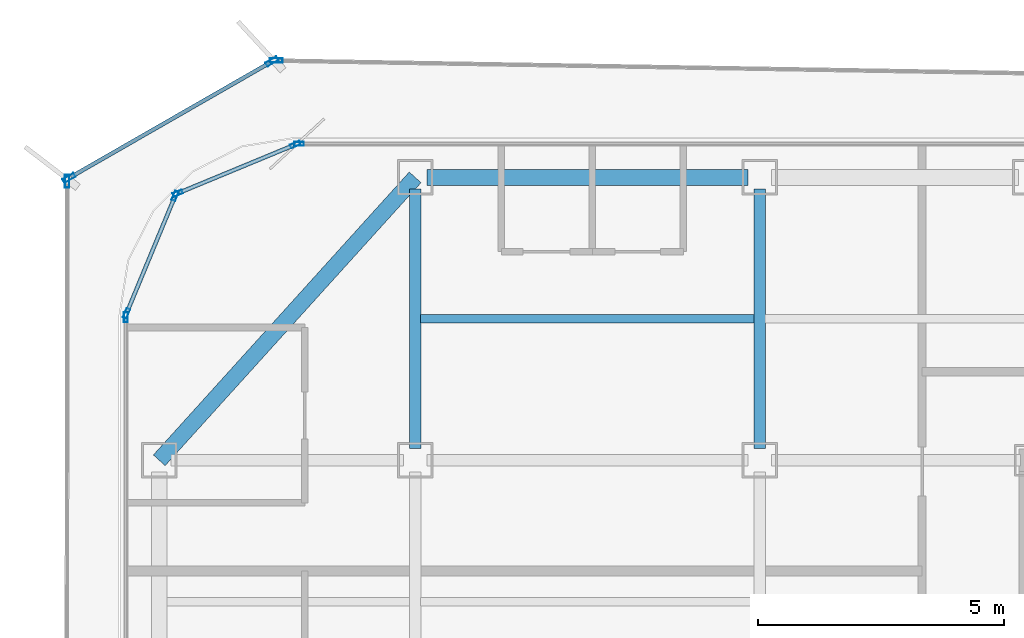
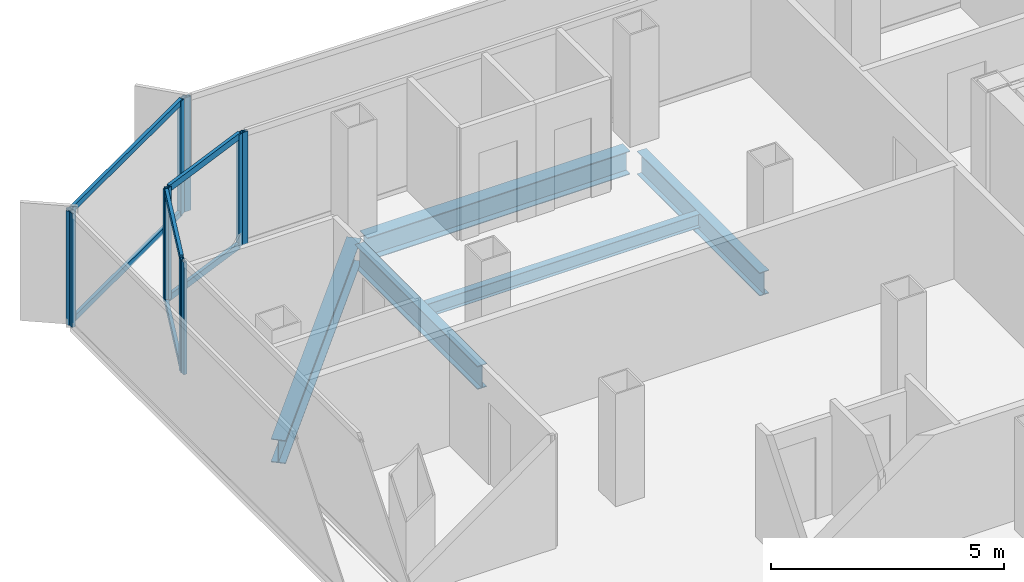
# One storey, part 6 of 15: 16 members, 5 beams, 7 elements without a shape of their own.
"""IFC4 building model written with IfcOpenShell, lengths in metres."""

from ifc_helpers import new_model, si_unit, direction, frame, origin, origin_2d, place, context, subcontext, project, spatial, hollow_rectangle, i_section, extrude, source, transform, mapped, material, layer, layer_set, material_profile, profile_set, type_object, element, aggregate, save


model = new_model("IFC4")

# Units and contexts
model_context = context("Model", 3, precision=1e-05, world=origin(), true_north=direction((0.0, 1.0)))
body_context = subcontext(model_context, "Body", "Model", "MODEL_VIEW")
ifc_project = project(units=[si_unit("LENGTHUNIT", "METRE"), si_unit("AREAUNIT", "SQUARE_METRE"), si_unit("VOLUMEUNIT", "CUBIC_METRE"), si_unit("PLANEANGLEUNIT", "RADIAN"), si_unit("MASSUNIT", "GRAM", prefix="KILO")], contexts=[model_context])

# Site, building, storey
site_placement = place(None, origin())
site = spatial("IfcSite", under=ifc_project, at=site_placement, CompositionType="ELEMENT")
building_placement = place(site_placement, origin())
building = spatial("IfcBuilding", under=site, at=building_placement, Name="Kolveth Station Tower", CompositionType="ELEMENT")
storey_placement = place(building_placement, frame((0.0, 0.0, 172.10009765625)))
storey = spatial("IfcBuildingStorey", under=building, at=storey_placement, Name="L48", CompositionType="ELEMENT", Elevation=172.10009765625)

# Beams
ifc_material_1 = material(Name="Steel S355", Category="steel")
ifc_material_profile_1 = material_profile(ifc_material_1, i_section(OverallWidth=0.323974609375, OverallDepth=0.611083984375, WebThickness=0.0126953125, FlangeThickness=0.01904296875, at=origin_2d()), Name="W610x155")
ifc_profile_set_1 = profile_set([ifc_material_profile_1], Name="Steel S355")
beam_type_1 = type_object("IfcBeamType", Name="Beam_SP2", PredefinedType="SPANDREL", material=ifc_profile_set_1)
shared_shape_1 = source(origin(), body_context, "Body", "SweptSolid", [
    extrude(i_section(OverallWidth=0.323974609375, OverallDepth=0.611083984375, WebThickness=0.0126953125, FlangeThickness=0.01904296875, at=origin_2d()), origin(), (0.0, 0.0, 1.0), 7.75244140625),
])
beam_1_placement = place(storey_placement, frame((6.0, 34.5, -0.5556640625), z_axis=(-0.670740965555, -0.74169168603, 0.0), x_axis=(0.74169168603, -0.670740965555, 0.0)))
element("IfcBeam", 1, at=beam_1_placement, inside=storey, type_object=beam_type_1, Name="L48 Corner Edge Girder BM-L48-CNR-NW", PredefinedType="SPANDREL", context=body_context, shape_type="MappedRepresentation", body=[
    mapped(shared_shape_1, transform((0.0, 0.0, 0.0), x_axis=(1.0, 0.0, 0.0), y_axis=(0.0, 1.0, 0.0), z_axis=(0.0, 0.0, 1.0), scale=1.0)),
])
shared_shape_2 = source(origin(), body_context, "Body", "SweptSolid", [
    extrude(i_section(OverallWidth=0.323974609375, OverallDepth=0.611083984375, WebThickness=0.0126953125, FlangeThickness=0.01904296875, at=origin_2d()), origin(), (0.0, 0.0, 1.0), 6.52001953125),
])
beam_2_placement = place(storey_placement, frame((6.239990234375, 34.5, -0.5556640625), z_axis=(1.0, 0.0, 0.0), x_axis=(0.0, 1.0, 0.0)))
element("IfcBeam", 2, at=beam_2_placement, inside=storey, type_object=beam_type_1, Name="L48 Perimeter Spandrel BM-L48-PN-1", PredefinedType="SPANDREL", context=body_context, shape_type="MappedRepresentation", body=[
    mapped(shared_shape_2, transform((0.0, 0.0, 0.0), x_axis=(1.0, 0.0, 0.0), y_axis=(0.0, 1.0, 0.0), z_axis=(0.0, 0.0, 1.0), scale=1.0)),
])
ifc_material_profile_2 = material_profile(ifc_material_1, i_section(OverallWidth=0.22900390625, OverallDepth=0.612060546875, WebThickness=0.011962890625, FlangeThickness=0.01953125, at=origin_2d()), Name="W610x125")
ifc_profile_set_2 = profile_set([ifc_material_profile_2], Name="Steel S355")
beam_type_2 = type_object("IfcBeamType", Name="Beam_B5", PredefinedType="BEAM", material=ifc_profile_set_2)
shared_shape_3 = source(origin(), body_context, "Body", "SweptSolid", [
    extrude(i_section(OverallWidth=0.22900390625, OverallDepth=0.612060546875, WebThickness=0.011962890625, FlangeThickness=0.01953125, at=origin_2d()), origin(), (0.0, 0.0, 1.0), 5.27001953125),
])
for number, where, z_axis, x_axis, name in (
    (3, (6.0, 28.989990234375, -0.55615234375), (0.0, 1.0, 0.0), (-1.0, 0.0, 0.0), "L48 Primary Girder BM-L48-GX60-6"),
    (4, (13.0, 28.989990234375, -0.55615234375), (0.0, 1.0, 0.0), (-1.0, 0.0, 0.0), "L48 Primary Girder BM-L48-GX130-6"),
):
    element("IfcBeam", number, at=place(storey_placement, frame(where, z_axis=z_axis, x_axis=x_axis)), inside=storey, type_object=beam_type_2, Name=name, PredefinedType="BEAM", context=body_context, shape_type="MappedRepresentation", body=[
        mapped(shared_shape_3, transform((0.0, 0.0, 0.0), x_axis=(1.0, 0.0, 0.0), y_axis=(0.0, 1.0, 0.0), z_axis=(0.0, 0.0, 1.0), scale=1.0)),
    ])
ifc_material_profile_3 = material_profile(ifc_material_1, i_section(OverallWidth=0.1708984375, OverallDepth=0.35205078125, WebThickness=0.0068359375, FlangeThickness=0.009765625, at=origin_2d()), Name="W360x44")
ifc_profile_set_3 = profile_set([ifc_material_profile_3], Name="Steel S355")
beam_type_3 = type_object("IfcBeamType", Name="Beam_J2", PredefinedType="JOIST", material=ifc_profile_set_3)
shared_shape_4 = source(origin(), body_context, "Body", "SweptSolid", [
    extrude(i_section(OverallWidth=0.1708984375, OverallDepth=0.35205078125, WebThickness=0.0068359375, FlangeThickness=0.009765625, at=origin_2d()), origin(), (0.0, 0.0, 1.0), 6.77490234375),
])
beam_3_placement = place(storey_placement, frame((6.112548828125, 31.625, -0.426025390625), z_axis=(1.0, 0.0, 0.0), x_axis=(0.0, 1.0, 0.0)))
element("IfcBeam", 5, at=beam_3_placement, inside=storey, type_object=beam_type_3, Name="L48 Secondary Joist JST-L48-2-6", PredefinedType="JOIST", context=body_context, shape_type="MappedRepresentation", body=[
    mapped(shared_shape_4, transform((0.0, 0.0, 0.0), x_axis=(1.0, 0.0, 0.0), y_axis=(0.0, 1.0, 0.0), z_axis=(0.0, 0.0, 1.0), scale=1.0)),
])

# Curtain wall, member
ifc_material_2 = material(Name="Aluminium 6063-T6 and low-E dark glass", Category="aluminium")
ifc_layer_1 = layer(ifc_material_2, 0.18994140625)
ifc_layer_set_1 = layer_set([ifc_layer_1], Name="Aluminium 6063-T6 and low-E dark glass")
curtain_wall_type_1 = type_object("IfcCurtainWallType", Name="CurtainWall_CW-Z2", PredefinedType="NOTDEFINED", material=ifc_layer_set_1)
curtain_wall_1_placement = place(storey_placement, origin())
curtain_wall_1 = element("IfcCurtainWall", 6, at=curtain_wall_1_placement, inside=storey, type_object=curtain_wall_type_1, Name="L48 Inner Thermal Curtain Wall 6", PredefinedType="NOTDEFINED")
ifc_material_3 = material(Name="Black anodized aluminium 6063-T6", Category="aluminium")
ifc_material_profile_4 = material_profile(ifc_material_3, hollow_rectangle(XDim=0.080078125, YDim=0.199951171875, WallThickness=0.0048828125, at=origin_2d()), Name="ALU-80x200x5")
ifc_profile_set_4 = profile_set([ifc_material_profile_4], Name="Black anodized aluminium 6063-T6")
member_type_1 = type_object("IfcMemberType", Name="Mullion_ML2", PredefinedType="MULLION", material=ifc_profile_set_4)
shared_shape_5 = source(origin(), body_context, "Body", "SweptSolid", [
    extrude(hollow_rectangle(XDim=0.080078125, YDim=0.199951171875, WallThickness=0.0048828125, at=origin_2d()), origin(), (0.0, 0.0, 1.0), 2.949951171875),
])
member_1_placement = place(storey_placement, frame((3.639892578125, 35.179931640625, 0.0), z_axis=(0.0, 0.0, 1.0), x_axis=(0.0, -1.0, 0.0)))
member_1 = element("IfcMember", 7, at=member_1_placement, type_object=member_type_1, Name="CW-Z2 mullion 2", PredefinedType="MULLION", context=body_context, shape_type="MappedRepresentation", body=[
    mapped(shared_shape_5, transform((0.0, 0.0, 0.0), x_axis=(1.0, 0.0, 0.0), y_axis=(0.0, 1.0, 0.0), z_axis=(0.0, 0.0, 1.0), scale=1.0)),
])
aggregate(curtain_wall_1, [member_1])

# Curtain wall, members
curtain_wall_2_placement = place(storey_placement, origin())
curtain_wall_2 = element("IfcCurtainWall", 8, at=curtain_wall_2_placement, inside=storey, type_object=curtain_wall_type_1, Name="L48 Inner Thermal Curtain Wall 7", PredefinedType="NOTDEFINED")
member_2_placement = place(storey_placement, frame((3.56298828125, 35.164794921875, 0.0), z_axis=(0.0, 0.0, 1.0), x_axis=(0.382697753087, -0.923873600544, 0.0)))
member_2 = element("IfcMember", 9, at=member_2_placement, type_object=member_type_1, Name="CW-Z2 mullion 1", PredefinedType="MULLION", context=body_context, shape_type="MappedRepresentation", body=[
    mapped(shared_shape_5, transform((0.0, 0.0, 0.0), x_axis=(1.0, 0.0, 0.0), y_axis=(0.0, 1.0, 0.0), z_axis=(0.0, 0.0, 1.0), scale=1.0)),
])
member_3_placement = place(storey_placement, frame((1.17626953125, 34.176025390625, 0.0), z_axis=(0.0, 0.0, 1.0), x_axis=(0.382697753087, -0.923873600544, 0.0)))
member_3 = element("IfcMember", 10, at=member_3_placement, type_object=member_type_1, Name="CW-Z2 mullion 2", PredefinedType="MULLION", context=body_context, shape_type="MappedRepresentation", body=[
    mapped(shared_shape_5, transform((0.0, 0.0, 0.0), x_axis=(1.0, 0.0, 0.0), y_axis=(0.0, 1.0, 0.0), z_axis=(0.0, 0.0, 1.0), scale=1.0)),
])

curtain_wall_3_placement = place(storey_placement, origin())
curtain_wall_3 = element("IfcCurtainWall", 11, at=curtain_wall_3_placement, inside=storey, type_object=curtain_wall_type_1, Name="L48 Inner Thermal Curtain Wall 8", PredefinedType="NOTDEFINED")
member_4_placement = place(storey_placement, frame((1.1240234375, 34.123779296875, 0.0), z_axis=(0.0, 0.0, 1.0), x_axis=(0.923873600544, -0.382697753087, 0.0)))
member_4 = element("IfcMember", 12, at=member_4_placement, type_object=member_type_1, Name="CW-Z2 mullion 1", PredefinedType="MULLION", context=body_context, shape_type="MappedRepresentation", body=[
    mapped(shared_shape_5, transform((0.0, 0.0, 0.0), x_axis=(1.0, 0.0, 0.0), y_axis=(0.0, 1.0, 0.0), z_axis=(0.0, 0.0, 1.0), scale=1.0)),
])
member_5_placement = place(storey_placement, frame((0.13525390625, 31.737060546875, 0.0), z_axis=(0.0, 0.0, 1.0), x_axis=(0.923873600544, -0.382697753087, 0.0)))
member_5 = element("IfcMember", 13, at=member_5_placement, type_object=member_type_1, Name="CW-Z2 mullion 2", PredefinedType="MULLION", context=body_context, shape_type="MappedRepresentation", body=[
    mapped(shared_shape_5, transform((0.0, 0.0, 0.0), x_axis=(1.0, 0.0, 0.0), y_axis=(0.0, 1.0, 0.0), z_axis=(0.0, 0.0, 1.0), scale=1.0)),
])

# Curtain wall, member
curtain_wall_4_placement = place(storey_placement, origin())
curtain_wall_4 = element("IfcCurtainWall", 14, at=curtain_wall_4_placement, inside=storey, type_object=curtain_wall_type_1, Name="L48 Inner Thermal Curtain Wall 9", PredefinedType="NOTDEFINED")
member_6_placement = place(storey_placement, frame((0.1201171875, 31.659912109375, 0.0), z_axis=(0.0, 0.0, 1.0), x_axis=(1.0, 0.0, 0.0)))
member_6 = element("IfcMember", 15, at=member_6_placement, type_object=member_type_1, Name="CW-Z2 mullion 1", PredefinedType="MULLION", context=body_context, shape_type="MappedRepresentation", body=[
    mapped(shared_shape_5, transform((0.0, 0.0, 0.0), x_axis=(1.0, 0.0, 0.0), y_axis=(0.0, 1.0, 0.0), z_axis=(0.0, 0.0, 1.0), scale=1.0)),
])
aggregate(curtain_wall_4, [member_6])

ifc_material_4 = material(Name="Black anodized aluminium 6063-T6 and dark solar glass", Category="aluminium")
ifc_layer_2 = layer(ifc_material_4, 0.159912109375)
ifc_layer_set_2 = layer_set([ifc_layer_2], Name="Black anodized aluminium 6063-T6 and dark solar glass")
curtain_wall_type_2 = type_object("IfcCurtainWallType", Name="OUTER SKIN CW-OS", PredefinedType="NOTDEFINED", material=ifc_layer_set_2)
curtain_wall_5_placement = place(storey_placement, origin())
curtain_wall_5 = element("IfcCurtainWall", 16, at=curtain_wall_5_placement, inside=storey, type_object=curtain_wall_type_2, Name="L48 Outer Ventilated Skin Curtain Wall 4", PredefinedType="NOTDEFINED")
ifc_material_profile_5 = material_profile(ifc_material_3, hollow_rectangle(XDim=0.090087890625, YDim=0.260009765625, WallThickness=0.0048828125, at=origin_2d()), Name="ALU-90x260x5")
ifc_profile_set_5 = profile_set([ifc_material_profile_5], Name="Black anodized aluminium 6063-T6")
member_type_2 = type_object("IfcMemberType", Name="FIN MULLION ML-OS", PredefinedType="MULLION", material=ifc_profile_set_5)
shared_shape_6 = source(origin(), body_context, "Body", "SweptSolid", [
    extrude(hollow_rectangle(XDim=0.090087890625, YDim=0.260009765625, WallThickness=0.0048828125, at=origin_2d()), origin(), (0.0, 0.0, 1.0), 2.989990234375),
])
member_7_placement = place(storey_placement, frame((3.175537109375, 36.87646484375, 0.0), z_axis=(0.0, 0.0, 1.0), x_axis=(-0.016800332197, -0.999858864459, 0.0)))
member_7 = element("IfcMember", 17, at=member_7_placement, type_object=member_type_2, Name="CW-OS mullion 2", PredefinedType="MULLION", context=body_context, shape_type="MappedRepresentation", body=[
    mapped(shared_shape_6, transform((0.0, 0.0, 0.0), x_axis=(1.0, 0.0, 0.0), y_axis=(0.0, 1.0, 0.0), z_axis=(0.0, 0.0, 1.0), scale=1.0)),
])
aggregate(curtain_wall_5, [member_7])

# Curtain wall, members
curtain_wall_6_placement = place(storey_placement, origin())
curtain_wall_6 = element("IfcCurtainWall", 18, at=curtain_wall_6_placement, inside=storey, type_object=curtain_wall_type_2, Name="L48 Outer Ventilated Skin Curtain Wall 5", PredefinedType="NOTDEFINED")
member_8_placement = place(storey_placement, frame((3.091552734375, 36.85498046875, 0.0), z_axis=(0.0, 0.0, 1.0), x_axis=(0.497882464471, -0.8672445166, 0.0)))
member_8 = element("IfcMember", 19, at=member_8_placement, type_object=member_type_2, Name="CW-OS mullion 1", PredefinedType="MULLION", context=body_context, shape_type="MappedRepresentation", body=[
    mapped(shared_shape_6, transform((0.0, 0.0, 0.0), x_axis=(1.0, 0.0, 0.0), y_axis=(0.0, 1.0, 0.0), z_axis=(0.0, 0.0, 1.0), scale=1.0)),
])
member_9_placement = place(storey_placement, frame((-1.032958984375, 34.487060546875, 0.0), z_axis=(0.0, 0.0, 1.0), x_axis=(0.497882464471, -0.8672445166, 0.0)))
member_9 = element("IfcMember", 20, at=member_9_placement, type_object=member_type_2, Name="CW-OS mullion 2", PredefinedType="MULLION", context=body_context, shape_type="MappedRepresentation", body=[
    mapped(shared_shape_6, transform((0.0, 0.0, 0.0), x_axis=(1.0, 0.0, 0.0), y_axis=(0.0, 1.0, 0.0), z_axis=(0.0, 0.0, 1.0), scale=1.0)),
])

# Curtain wall, member
curtain_wall_7_placement = place(storey_placement, origin())
curtain_wall_7 = element("IfcCurtainWall", 21, at=curtain_wall_7_placement, inside=storey, type_object=curtain_wall_type_2, Name="L48 Outer Ventilated Skin Curtain Wall 6", PredefinedType="NOTDEFINED")
member_10_placement = place(storey_placement, frame((-1.072265625, 34.419677734375, 0.0), z_axis=(0.0, 0.0, 1.0), x_axis=(0.999999440888, -0.001057461251, 0.0)))
member_10 = element("IfcMember", 22, at=member_10_placement, type_object=member_type_2, Name="CW-OS mullion 1", PredefinedType="MULLION", context=body_context, shape_type="MappedRepresentation", body=[
    mapped(shared_shape_6, transform((0.0, 0.0, 0.0), x_axis=(1.0, 0.0, 0.0), y_axis=(0.0, 1.0, 0.0), z_axis=(0.0, 0.0, 1.0), scale=1.0)),
])
aggregate(curtain_wall_7, [member_10])

# Member
ifc_material_profile_6 = material_profile(ifc_material_3, hollow_rectangle(XDim=0.080078125, YDim=0.169921875, WallThickness=0.0048828125, at=origin_2d()), Name="ALU-80x170x5")
ifc_profile_set_6 = profile_set([ifc_material_profile_6], Name="Black anodized aluminium 6063-T6")
member_type_3 = type_object("IfcMemberType", Name="Transom_TR2", PredefinedType="USERDEFINED", material=ifc_profile_set_6)
shared_shape_7 = source(origin(), body_context, "Body", "SweptSolid", [
    extrude(hollow_rectangle(XDim=0.080078125, YDim=0.169921875, WallThickness=0.0048828125, at=origin_2d()), origin(), (0.0, 0.0, 1.0), 2.50341796875),
])
member_11_placement = place(storey_placement, frame((3.526123046875, 35.1494140625, 0.039794921875), z_axis=(-0.923888472039, -0.382661849723, 0.0), x_axis=(0.382661849723, -0.923888472039, 0.0)))
member_11 = element("IfcMember", 23, at=member_11_placement, type_object=member_type_3, Name="CW-Z2 transom 1.1", ObjectType="TRANSOM", PredefinedType="USERDEFINED", context=body_context, shape_type="MappedRepresentation", body=[
    mapped(shared_shape_7, transform((0.0, 0.0, 0.0), x_axis=(1.0, 0.0, 0.0), y_axis=(0.0, 1.0, 0.0), z_axis=(0.0, 0.0, 1.0), scale=1.0)),
])

member_12_placement = place(storey_placement, frame((3.526123046875, 35.1494140625, 2.909912109375), z_axis=(-0.923888472039, -0.382661849723, 0.0), x_axis=(0.382661849723, -0.923888472039, 0.0)))
member_12 = element("IfcMember", 24, at=member_12_placement, type_object=member_type_3, Name="CW-Z2 transom 1.2", ObjectType="TRANSOM", PredefinedType="USERDEFINED", context=body_context, shape_type="MappedRepresentation", body=[
    mapped(shared_shape_7, transform((0.0, 0.0, 0.0), x_axis=(1.0, 0.0, 0.0), y_axis=(0.0, 1.0, 0.0), z_axis=(0.0, 0.0, 1.0), scale=1.0)),
])

aggregate(curtain_wall_2, [member_2, member_3, member_11, member_12])

member_13_placement = place(storey_placement, frame((1.108642578125, 34.086669921875, 0.039794921875), z_axis=(-0.382696328882, -0.923874190494, 0.0), x_axis=(0.923874190494, -0.382696328882, 0.0)))
member_13 = element("IfcMember", 25, at=member_13_placement, type_object=member_type_3, Name="CW-Z2 transom 1.1", ObjectType="TRANSOM", PredefinedType="USERDEFINED", context=body_context, shape_type="MappedRepresentation", body=[
    mapped(shared_shape_7, transform((0.0, 0.0, 0.0), x_axis=(1.0, 0.0, 0.0), y_axis=(0.0, 1.0, 0.0), z_axis=(0.0, 0.0, 1.0), scale=1.0)),
])

member_14_placement = place(storey_placement, frame((1.108642578125, 34.086669921875, 2.909912109375), z_axis=(-0.382696328882, -0.923874190494, 0.0), x_axis=(0.923874190494, -0.382696328882, 0.0)))
member_14 = element("IfcMember", 26, at=member_14_placement, type_object=member_type_3, Name="CW-Z2 transom 1.2", ObjectType="TRANSOM", PredefinedType="USERDEFINED", context=body_context, shape_type="MappedRepresentation", body=[
    mapped(shared_shape_7, transform((0.0, 0.0, 0.0), x_axis=(1.0, 0.0, 0.0), y_axis=(0.0, 1.0, 0.0), z_axis=(0.0, 0.0, 1.0), scale=1.0)),
])

aggregate(curtain_wall_3, [member_4, member_5, member_13, member_14])

ifc_material_profile_7 = material_profile(ifc_material_3, hollow_rectangle(XDim=0.080078125, YDim=0.14990234375, WallThickness=0.0048828125, at=origin_2d()), Name="ALU-80x150x5")
ifc_profile_set_7 = profile_set([ifc_material_profile_7], Name="Black anodized aluminium 6063-T6")
member_type_4 = type_object("IfcMemberType", Name="Transom_TR-OS", PredefinedType="USERDEFINED", material=ifc_profile_set_7)
shared_shape_8 = source(origin(), body_context, "Body", "SweptSolid", [
    extrude(hollow_rectangle(XDim=0.080078125, YDim=0.14990234375, WallThickness=0.0048828125, at=origin_2d()), origin(), (0.0, 0.0, 1.0), 4.666015625),
])
member_15_placement = place(storey_placement, frame((3.052490234375, 36.83251953125, 0.039794921875), z_axis=(-0.867259372328, -0.49785658689, 0.0), x_axis=(0.49785658689, -0.867259372328, 0.0)))
member_15 = element("IfcMember", 27, at=member_15_placement, type_object=member_type_4, Name="CW-OS transom 1.1", ObjectType="TRANSOM", PredefinedType="USERDEFINED", context=body_context, shape_type="MappedRepresentation", body=[
    mapped(shared_shape_8, transform((0.0, 0.0, 0.0), x_axis=(1.0, 0.0, 0.0), y_axis=(0.0, 1.0, 0.0), z_axis=(0.0, 0.0, 1.0), scale=1.0)),
])

member_16_placement = place(storey_placement, frame((3.052490234375, 36.83251953125, 2.949951171875), z_axis=(-0.867259372328, -0.49785658689, 0.0), x_axis=(0.49785658689, -0.867259372328, 0.0)))
member_16 = element("IfcMember", 28, at=member_16_placement, type_object=member_type_4, Name="CW-OS transom 1.2", ObjectType="TRANSOM", PredefinedType="USERDEFINED", context=body_context, shape_type="MappedRepresentation", body=[
    mapped(shared_shape_8, transform((0.0, 0.0, 0.0), x_axis=(1.0, 0.0, 0.0), y_axis=(0.0, 1.0, 0.0), z_axis=(0.0, 0.0, 1.0), scale=1.0)),
])

aggregate(curtain_wall_6, [member_8, member_9, member_15, member_16])

save(model, "model.ifc")
